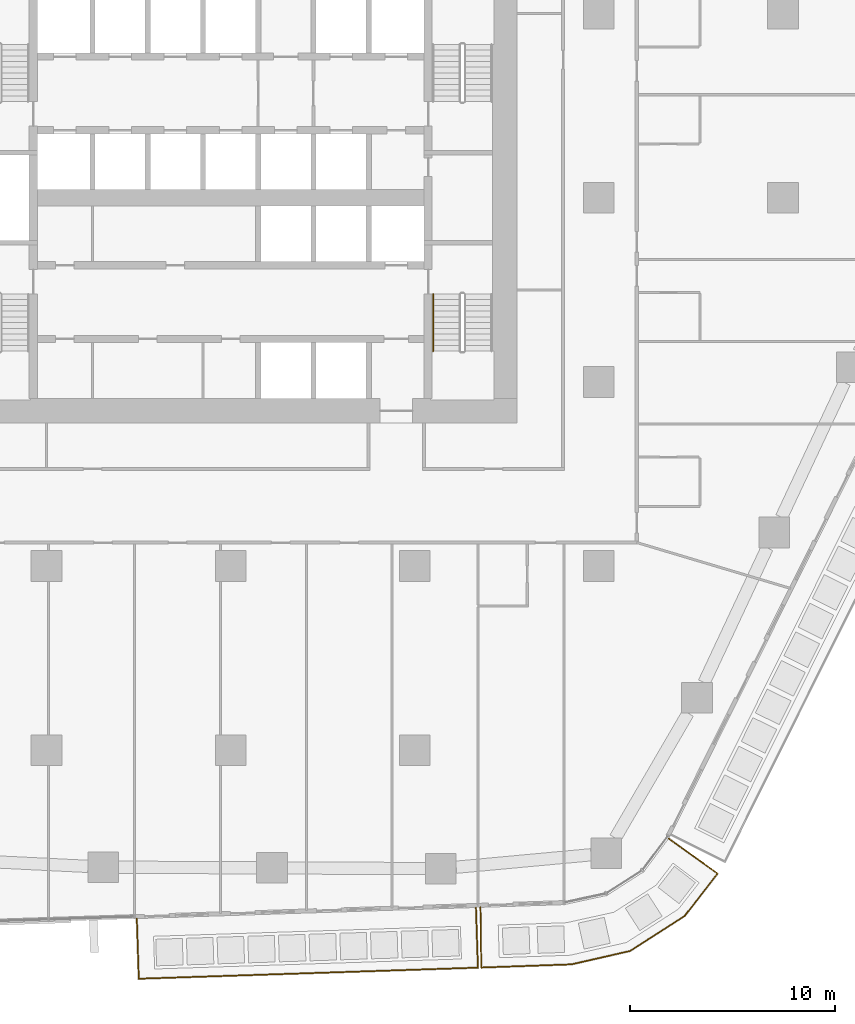
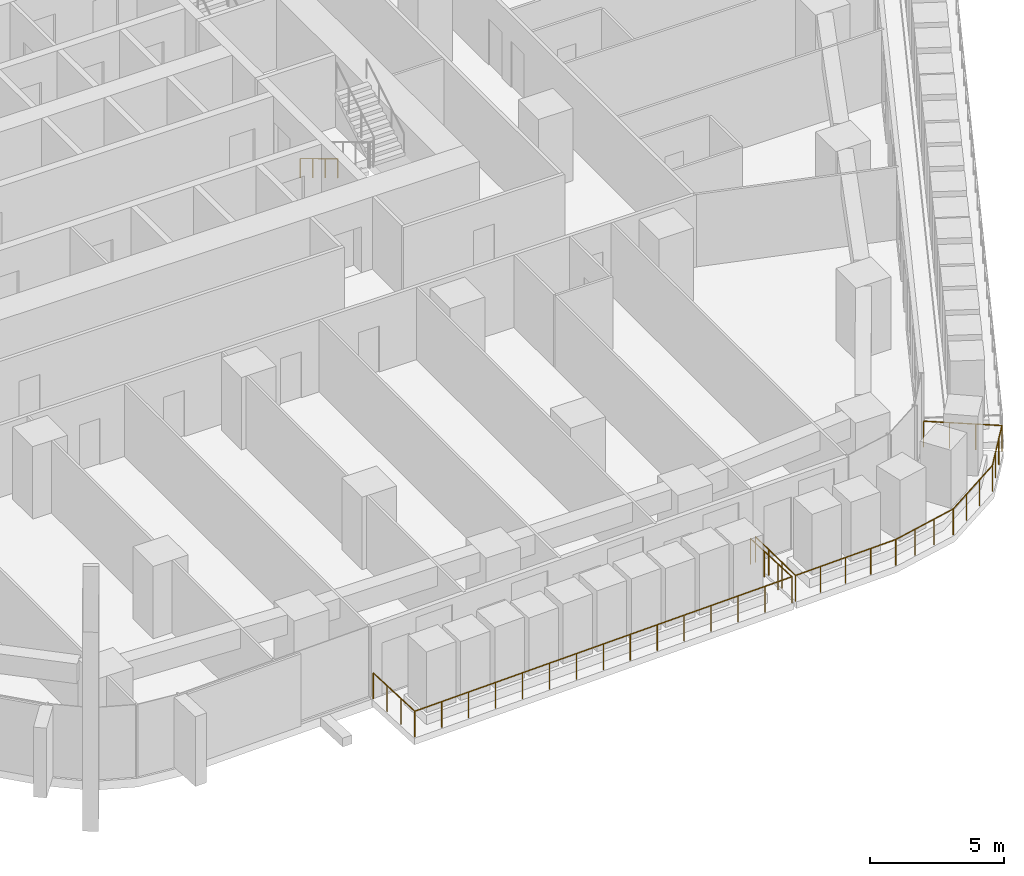
# One storey, part 23 of 27: 3 railings.
"""IFC4 building model written with IfcOpenShell, lengths in metres."""

from ifc_helpers import new_model, si_unit, direction, frame, origin, origin_2d, place, context, subcontext, project, spatial, circle, extrude, material, type_object, element, save


model = new_model("IFC4")

# Units and contexts
model_context = context("Model", 3, precision=1e-05, world=origin(), true_north=direction((0.0, 1.0)))
body_context = subcontext(model_context, "Body", "Model", "MODEL_VIEW")
ifc_project = project(units=[si_unit("LENGTHUNIT", "METRE"), si_unit("AREAUNIT", "SQUARE_METRE"), si_unit("VOLUMEUNIT", "CUBIC_METRE"), si_unit("PLANEANGLEUNIT", "RADIAN"), si_unit("MASSUNIT", "GRAM", prefix="KILO")], contexts=[model_context])

# Site, building, storey
site_placement = place(None, origin())
site = spatial("IfcSite", under=ifc_project, at=site_placement, CompositionType="ELEMENT")
building_placement = place(site_placement, origin())
building = spatial("IfcBuilding", under=site, at=building_placement, Name="Dongbaek Canopy Tower", CompositionType="ELEMENT")
storey_placement = place(building_placement, frame((0.0, 0.0, 55.10009765625)))
storey = spatial("IfcBuildingStorey", under=building, at=storey_placement, Name="L09", CompositionType="ELEMENT", Elevation=55.10009765625)

# Railings
ifc_material_1 = material(Name="Stainless steel", Category="steel")
railing_type_1 = type_object("IfcRailingType", Name="Balcony balustrade 1200", PredefinedType="BALUSTRADE", material=ifc_material_1)
railing_1_placement = place(storey_placement, frame((-4.583251953125, -35.232177734375, 0.0)))
element("IfcRailing", 1, at=railing_1_placement, inside=storey, type_object=railing_type_1, Name="Balcony guard L09 4", PredefinedType="BALUSTRADE", context=body_context, shape_type="SweptSolid", body=[
    extrude(circle(Radius=0.02392578125, at=origin_2d()), frame((0.0, 0.0, 1.17578125), z_axis=(0.032634651689, -0.999467347895, 0.0), x_axis=(0.999467347895, 0.032634651689, 0.0)), (0.0, 0.0, 1.0), 2.93994140625),
    extrude(circle(Radius=0.02392578125, at=origin_2d()), frame((0.095947265625, -2.9384765625, 1.17578125), z_axis=(0.999466777568, 0.032652113837, 0.0), x_axis=(-0.032652113837, 0.999466777568, 0.0)), (0.0, 0.0, 1.0), 16.583984375),
    extrude(circle(Radius=0.02392578125, at=origin_2d()), frame((16.671142578125, -2.39697265625, 1.17578125), z_axis=(-0.032637360446, 0.999467259445, 0.0), x_axis=(-0.999467259445, -0.032637360446, 0.0)), (0.0, 0.0, 1.0), 2.939697265625),
    extrude(circle(Radius=0.02099609375, at=origin_2d()), origin(), (0.0, 0.0, 1.0), 1.15185546875),
    extrude(circle(Radius=0.02099609375, at=origin_2d()), frame((0.031982421875, -0.9794921875, 0.0)), (0.0, 0.0, 1.0), 1.15185546875),
    extrude(circle(Radius=0.02099609375, at=origin_2d()), frame((0.06396484375, -1.958984375, 0.0)), (0.0, 0.0, 1.0), 1.15185546875),
    extrude(circle(Radius=0.02099609375, at=origin_2d()), frame((0.095947265625, -2.9384765625, 0.0)), (0.0, 0.0, 1.0), 1.15185546875),
    extrude(circle(Radius=0.02099609375, at=origin_2d()), frame((1.27978515625, -2.89990234375, 0.0)), (0.0, 0.0, 1.0), 1.15185546875),
    extrude(circle(Radius=0.02099609375, at=origin_2d()), frame((2.4638671875, -2.861083984375, 0.0)), (0.0, 0.0, 1.0), 1.15185546875),
    extrude(circle(Radius=0.02099609375, at=origin_2d()), frame((3.647705078125, -2.822509765625, 0.0)), (0.0, 0.0, 1.0), 1.15185546875),
    extrude(circle(Radius=0.02099609375, at=origin_2d()), frame((4.831787109375, -2.78369140625, 0.0)), (0.0, 0.0, 1.0), 1.15185546875),
    extrude(circle(Radius=0.02099609375, at=origin_2d()), frame((6.015625, -2.7451171875, 0.0)), (0.0, 0.0, 1.0), 1.15185546875),
    extrude(circle(Radius=0.02099609375, at=origin_2d()), frame((7.19970703125, -2.706298828125, 0.0)), (0.0, 0.0, 1.0), 1.15185546875),
    extrude(circle(Radius=0.02099609375, at=origin_2d()), frame((8.383544921875, -2.667724609375, 0.0)), (0.0, 0.0, 1.0), 1.15185546875),
    extrude(circle(Radius=0.02099609375, at=origin_2d()), frame((9.5673828125, -2.629150390625, 0.0)), (0.0, 0.0, 1.0), 1.15185546875),
    extrude(circle(Radius=0.02099609375, at=origin_2d()), frame((10.75146484375, -2.59033203125, 0.0)), (0.0, 0.0, 1.0), 1.15185546875),
    extrude(circle(Radius=0.02099609375, at=origin_2d()), frame((11.935302734375, -2.5517578125, 0.0)), (0.0, 0.0, 1.0), 1.15185546875),
    extrude(circle(Radius=0.02099609375, at=origin_2d()), frame((13.119384765625, -2.512939453125, 0.0)), (0.0, 0.0, 1.0), 1.15185546875),
    extrude(circle(Radius=0.02099609375, at=origin_2d()), frame((14.30322265625, -2.474365234375, 0.0)), (0.0, 0.0, 1.0), 1.15185546875),
    extrude(circle(Radius=0.02099609375, at=origin_2d()), frame((15.4873046875, -2.435546875, 0.0)), (0.0, 0.0, 1.0), 1.15185546875),
    extrude(circle(Radius=0.02099609375, at=origin_2d()), frame((16.671142578125, -2.39697265625, 0.0)), (0.0, 0.0, 1.0), 1.15185546875),
    extrude(circle(Radius=0.02099609375, at=origin_2d()), frame((16.63916015625, -1.41748046875, 0.0)), (0.0, 0.0, 1.0), 1.15185546875),
    extrude(circle(Radius=0.02099609375, at=origin_2d()), frame((16.607177734375, -0.438232421875, 0.0)), (0.0, 0.0, 1.0), 1.15185546875),
    extrude(circle(Radius=0.02099609375, at=origin_2d()), frame((16.5751953125, 0.541259765625, 0.0)), (0.0, 0.0, 1.0), 1.15185546875),
])
railing_2_placement = place(storey_placement, frame((12.2119140625, -34.68359375, 0.0)))
element("IfcRailing", 2, at=railing_2_placement, inside=storey, type_object=railing_type_1, Name="Balcony guard L09 8", PredefinedType="BALUSTRADE", context=body_context, shape_type="SweptSolid", body=[
    extrude(circle(Radius=0.02392578125, at=origin_2d()), frame((0.0, 0.0, 1.17578125), z_axis=(0.012204338432, -0.999925524288, 0.0), x_axis=(0.999925524288, 0.012204338432, 0.0)), (0.0, 0.0, 1.0), 2.940673828125),
    extrude(circle(Radius=0.02392578125, at=origin_2d()), frame((0.035888671875, -2.9404296875, 1.17578125), z_axis=(0.999375333331, 0.035340389485, 0.0), x_axis=(-0.035340389485, 0.999375333331, 0.0)), (0.0, 0.0, 1.0), 4.414306640625),
    extrude(circle(Radius=0.02392578125, at=origin_2d()), frame((4.447509765625, -2.784423828125, 1.17578125), z_axis=(0.974995929729, 0.222222719386, 0.0), x_axis=(-0.222222719386, 0.974995929729, 0.0)), (0.0, 0.0, 1.0), 2.928955078125),
    extrude(circle(Radius=0.02392578125, at=origin_2d()), frame((7.30322265625, -2.133544921875, 1.17578125), z_axis=(0.841499110027, 0.540258500926, 0.0), x_axis=(-0.540258500926, 0.841499110027, 0.0)), (0.0, 0.0, 1.0), 3.18994140625),
    extrude(circle(Radius=0.02392578125, at=origin_2d()), frame((9.987548828125, -0.41015625, 1.17578125), z_axis=(0.612602276133, 0.790391327936, 0.0), x_axis=(-0.790391327936, 0.612602276133, 0.0)), (0.0, 0.0, 1.0), 2.615966796875),
    extrude(circle(Radius=0.02392578125, at=origin_2d()), frame((11.590087890625, 1.657470703125, 1.17578125), z_axis=(-0.813374298496, 0.581740707314, 0.0), x_axis=(-0.581740707314, -0.813374298496, 0.0)), (0.0, 0.0, 1.0), 2.940673828125),
    extrude(circle(Radius=0.02099609375, at=origin_2d()), origin(), (0.0, 0.0, 1.0), 1.15185546875),
    extrude(circle(Radius=0.02099609375, at=origin_2d()), frame((0.011962890625, -0.980224609375, 0.0)), (0.0, 0.0, 1.0), 1.15185546875),
    extrude(circle(Radius=0.02099609375, at=origin_2d()), frame((0.02392578125, -1.960205078125, 0.0)), (0.0, 0.0, 1.0), 1.15185546875),
    extrude(circle(Radius=0.02099609375, at=origin_2d()), frame((0.035888671875, -2.9404296875, 0.0)), (0.0, 0.0, 1.0), 1.15185546875),
    extrude(circle(Radius=0.02099609375, at=origin_2d()), frame((1.138671875, -2.9013671875, 0.0)), (0.0, 0.0, 1.0), 1.15185546875),
    extrude(circle(Radius=0.02099609375, at=origin_2d()), frame((2.24169921875, -2.8623046875, 0.0)), (0.0, 0.0, 1.0), 1.15185546875),
    extrude(circle(Radius=0.02099609375, at=origin_2d()), frame((3.3447265625, -2.823486328125, 0.0)), (0.0, 0.0, 1.0), 1.15185546875),
    extrude(circle(Radius=0.02099609375, at=origin_2d()), frame((4.447509765625, -2.784423828125, 0.0)), (0.0, 0.0, 1.0), 1.15185546875),
    extrude(circle(Radius=0.02099609375, at=origin_2d()), frame((5.3994140625, -2.5673828125, 0.0)), (0.0, 0.0, 1.0), 1.15185546875),
    extrude(circle(Radius=0.02099609375, at=origin_2d()), frame((6.351318359375, -2.3505859375, 0.0)), (0.0, 0.0, 1.0), 1.15185546875),
    extrude(circle(Radius=0.02099609375, at=origin_2d()), frame((7.30322265625, -2.133544921875, 0.0)), (0.0, 0.0, 1.0), 1.15185546875),
    extrude(circle(Radius=0.02099609375, at=origin_2d()), frame((8.197998046875, -1.55908203125, 0.0)), (0.0, 0.0, 1.0), 1.15185546875),
    extrude(circle(Radius=0.02099609375, at=origin_2d()), frame((9.0927734375, -0.984619140625, 0.0)), (0.0, 0.0, 1.0), 1.15185546875),
    extrude(circle(Radius=0.02099609375, at=origin_2d()), frame((9.987548828125, -0.41015625, 0.0)), (0.0, 0.0, 1.0), 1.15185546875),
    extrude(circle(Radius=0.02099609375, at=origin_2d()), frame((10.521728515625, 0.279052734375, 0.0)), (0.0, 0.0, 1.0), 1.15185546875),
    extrude(circle(Radius=0.02099609375, at=origin_2d()), frame((11.055908203125, 0.96826171875, 0.0)), (0.0, 0.0, 1.0), 1.15185546875),
    extrude(circle(Radius=0.02099609375, at=origin_2d()), frame((11.590087890625, 1.657470703125, 0.0)), (0.0, 0.0, 1.0), 1.15185546875),
    extrude(circle(Radius=0.02099609375, at=origin_2d()), frame((10.792724609375, 2.227783203125, 0.0)), (0.0, 0.0, 1.0), 1.15185546875),
    extrude(circle(Radius=0.02099609375, at=origin_2d()), frame((9.99560546875, 2.7978515625, 0.0)), (0.0, 0.0, 1.0), 1.15185546875),
    extrude(circle(Radius=0.02099609375, at=origin_2d()), frame((9.1982421875, 3.3681640625, 0.0)), (0.0, 0.0, 1.0), 1.15185546875),
])
ifc_material_2 = material(Name="Stainless steel tube", Category="steel")
railing_type_2 = type_object("IfcRailingType", Name="Stair handrail 900", PredefinedType="HANDRAIL", material=ifc_material_2)
railing_3_placement = place(storey_placement, frame((9.89990234375, -4.699951171875, 0.16796875)))
element("IfcRailing", 3, at=railing_3_placement, inside=storey, type_object=railing_type_2, Name="L09 ST-B stair handrail 1", PredefinedType="HANDRAIL", context=body_context, shape_type="SweptSolid", body=[
    extrude(circle(Radius=0.02392578125, at=origin_2d()), frame((0.0, 0.0, 0.8759765625), z_axis=(0.0, -0.857242210791, 0.514913383045), x_axis=(1.0, 0.0, 0.0)), (0.0, 0.0, 1.0), 3.266357421875),
    extrude(circle(Radius=0.02099609375, at=origin_2d()), origin(), (0.0, 0.0, 1.0), 0.851806640625),
    extrude(circle(Radius=0.02099609375, at=origin_2d()), frame((0.0, -0.933349609375, 0.560546875)), (0.0, 0.0, 1.0), 0.851806640625),
    extrude(circle(Radius=0.02099609375, at=origin_2d()), frame((0.0, -1.86669921875, 1.121337890625)), (0.0, 0.0, 1.0), 0.851806640625),
    extrude(circle(Radius=0.02099609375, at=origin_2d()), frame((0.0, -2.800048828125, 1.681884765625)), (0.0, 0.0, 1.0), 0.851806640625),
])

save(model, "model.ifc")
